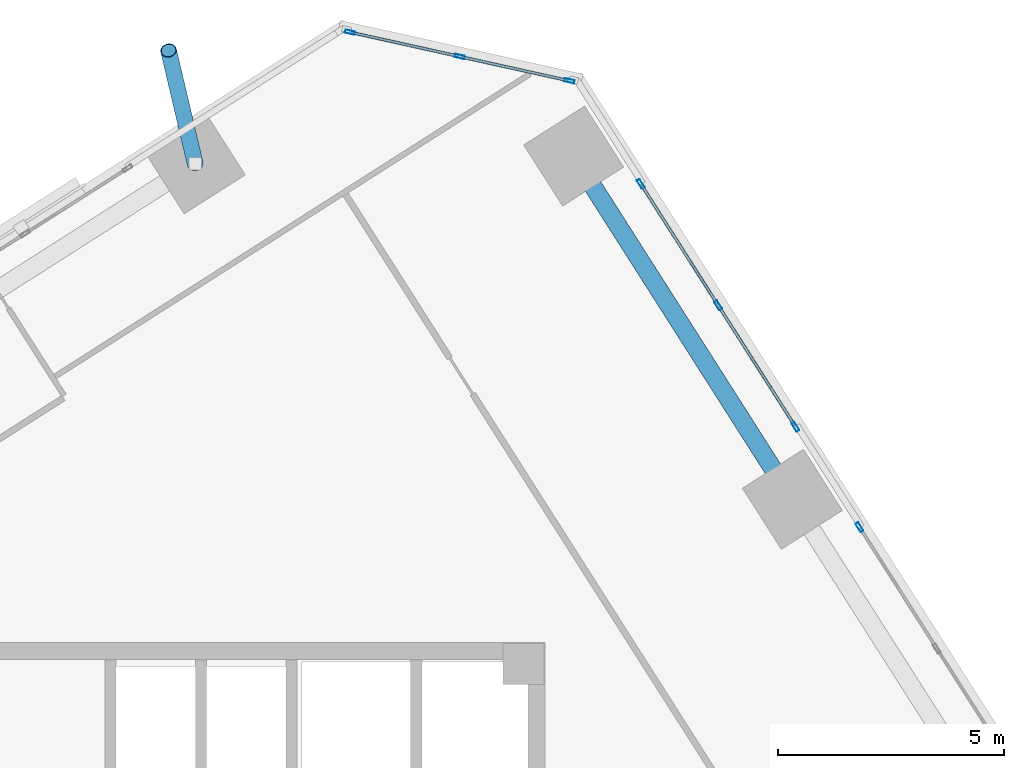
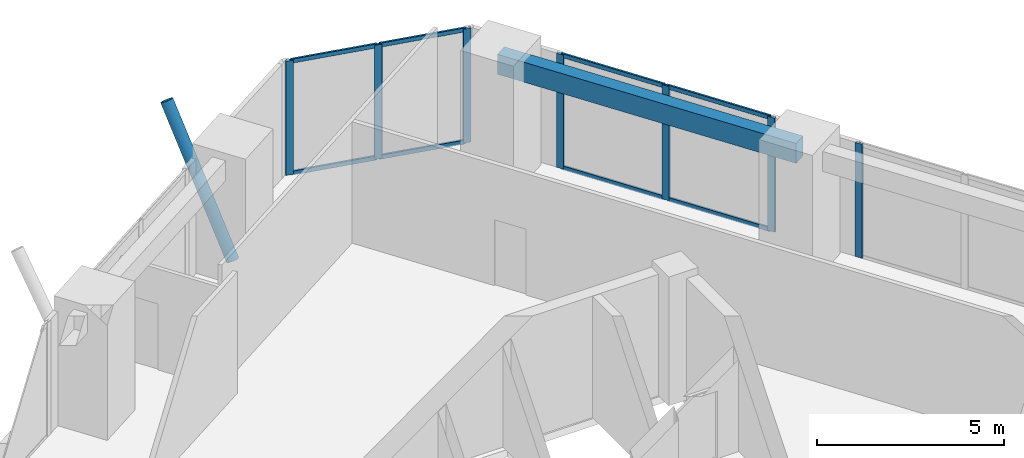
# One storey, part 8 of 14: 16 members, 1 beam, 3 elements without a shape of their own.
"""IFC4 building model written with IfcOpenShell, lengths in metres."""

from ifc_helpers import new_model, si_unit, direction, frame, origin, origin_2d, place, context, subcontext, project, spatial, rectangle, hollow_rectangle, hollow_circle, extrude, source, transform, mapped, material, material_profile, profile_set, type_object, element, aggregate, save


model = new_model("IFC4")

# Units and contexts
model_context = context("Model", 3, precision=1e-05, world=origin(), true_north=direction((0.0, 1.0)))
body_context = subcontext(model_context, "Body", "Model", "MODEL_VIEW")
ifc_project = project(units=[si_unit("LENGTHUNIT", "METRE"), si_unit("AREAUNIT", "SQUARE_METRE"), si_unit("VOLUMEUNIT", "CUBIC_METRE"), si_unit("PLANEANGLEUNIT", "RADIAN"), si_unit("MASSUNIT", "GRAM", prefix="KILO")], contexts=[model_context])

# Site, building, storey
site_placement = place(None, origin())
site = spatial("IfcSite", under=ifc_project, at=site_placement, CompositionType="ELEMENT")
building_placement = place(site_placement, origin())
building = spatial("IfcBuilding", under=site, at=building_placement, Name="Torre Montelarca", CompositionType="ELEMENT")
storey_placement = place(building_placement, frame((0.0, 0.0, 315.60009765625)))
storey = spatial("IfcBuildingStorey", under=building, at=storey_placement, Name="L71", CompositionType="ELEMENT", Elevation=315.60009765625)

# Member
ifc_material_1 = material(Name="Steel ASTM A500 Grade C", Category="steel")
ifc_material_profile_1 = material_profile(ifc_material_1, hollow_circle(Radius=0.177734375, WallThickness=0.015869140625, at=origin_2d()), Name="HSS355.6X15.9", Category="steel")
ifc_profile_set_1 = profile_set([ifc_material_profile_1], Name="Steel ASTM A500 Grade C")
member_type_1 = type_object("IfcMemberType", Name="MB-BR-CHS356-EXT", PredefinedType="BRACE", material=ifc_profile_set_1)
shared_shape_1 = source(origin(), body_context, "Body", "SweptSolid", [
    extrude(hollow_circle(Radius=0.177734375, WallThickness=0.015869140625, at=origin_2d()), origin(), (0.0, 0.0, 1.0), 4.682373046875),
])
member_1_placement = place(storey_placement, frame((19.193603515625, 50.509521484375, 0.14990234375), z_axis=(-0.126074213861, 0.535580779478, 0.835020072365), x_axis=(-0.973394793656, -0.229134405282, 0.0)))
element("IfcMember", 1, at=member_1_placement, inside=storey, type_object=member_type_1, Name="L72 Sliding Tray Exterior Diagonal Raker Strut W3", PredefinedType="BRACE", context=body_context, shape_type="MappedRepresentation", body=[
    mapped(shared_shape_1, transform((0.0, 0.0, 0.0), scale=1.0)),
])

# Beam
ifc_material_2 = material(Name="Concrete C40/50", Category="concrete")
ifc_material_profile_2 = material_profile(ifc_material_2, rectangle(XDim=0.39990234375, YDim=0.64990234375, at=origin_2d()), Name="RCB400X650", Category="concrete")
ifc_profile_set_2 = profile_set([ifc_material_profile_2], Name="Concrete C40/50")
beam_type = type_object("IfcBeamType", Name="BM-SP-RC650-EXT", PredefinedType="SPANDREL", material=ifc_profile_set_2)
shared_shape_2 = source(origin(), body_context, "Body", "SweptSolid", [
    extrude(rectangle(XDim=0.39990234375, YDim=0.64990234375, at=origin_2d()), origin(), (0.0, 0.0, 1.0), 9.0),
])
beam_placement = place(storey_placement, frame((27.56103515625, 50.6826171875, 3.635009765625), z_axis=(0.5372966855, -0.843393307865, 0.0), x_axis=(0.843393307865, 0.5372966855, 0.0)))
element("IfcBeam", 2, at=beam_placement, inside=storey, type_object=beam_type, Name="L71 Grid Girder X 9.0-18.0 at Y=47.1", PredefinedType="SPANDREL", context=body_context, shape_type="MappedRepresentation", body=[
    mapped(shared_shape_2, transform((0.0, 0.0, 0.0), scale=1.0)),
])

# Curtain wall, member
ifc_material_3 = material(Name="Insulated low-E laminated glass", Category="glass")
curtain_wall_type = type_object("IfcCurtainWallType", Name="CW-SYS-Z4", PredefinedType="USERDEFINED", material=ifc_material_3)
curtain_wall_1_placement = place(storey_placement, origin())
curtain_wall_1 = element("IfcCurtainWall", 3, at=curtain_wall_1_placement, inside=storey, type_object=curtain_wall_type, Name="L71 Curtain Wall Run CW-T3-L71-E08-B2", ObjectType="UNITISED GLAZING", PredefinedType="USERDEFINED")
ifc_material_4 = material(Name="Anodised aluminium AA 6063-T6", Category="aluminium")
ifc_material_profile_3 = material_profile(ifc_material_4, hollow_rectangle(XDim=0.074951171875, YDim=0.219970703125, WallThickness=0.0048828125, InnerFilletRadius=0.0048828125, OuterFilletRadius=0.010009765625, at=origin_2d()), Name="ALU75X220X5", Category="aluminium")
ifc_profile_set_3 = profile_set([ifc_material_profile_3], Name="Anodised aluminium AA 6063-T6")
member_type_2 = type_object("IfcMemberType", Name="CWM-ALU220", PredefinedType="MULLION", material=ifc_profile_set_3)
shared_shape_3 = source(origin(), body_context, "Body", "SweptSolid", [
    extrude(hollow_rectangle(XDim=0.074951171875, YDim=0.219970703125, WallThickness=0.0048828125, InnerFilletRadius=0.0048828125, OuterFilletRadius=0.010009765625, at=origin_2d()), origin(), (0.0, 0.0, 1.0), 3.719970703125),
])
member_2_placement = place(storey_placement, frame((33.880615234375, 42.47509765625, 0.0), z_axis=(0.0, 0.0, 1.0), x_axis=(-0.843394761508, -0.537294403713, 0.0)))
member_2 = element("IfcMember", 4, at=member_2_placement, type_object=member_type_2, Name="CW mullion 3", PredefinedType="MULLION", context=body_context, shape_type="MappedRepresentation", body=[
    mapped(shared_shape_3, transform((0.0, 0.0, 0.0), scale=1.0)),
])
aggregate(curtain_wall_1, [member_2])

# Curtain wall, members
curtain_wall_2_placement = place(storey_placement, origin())
curtain_wall_2 = element("IfcCurtainWall", 5, at=curtain_wall_2_placement, inside=storey, type_object=curtain_wall_type, Name="L71 Curtain Wall Run CW-T3-L71-E08-B3", ObjectType="UNITISED GLAZING", PredefinedType="USERDEFINED")
member_3_placement = place(storey_placement, frame((32.46484375, 44.697509765625, 0.0), z_axis=(0.0, 0.0, 1.0), x_axis=(-0.843390278763, -0.537301440244, 0.0)))
member_3 = element("IfcMember", 6, at=member_3_placement, type_object=member_type_2, Name="CW mullion 1", PredefinedType="MULLION", context=body_context, shape_type="MappedRepresentation", body=[
    mapped(shared_shape_3, transform((0.0, 0.0, 0.0), scale=1.0)),
])
member_4_placement = place(storey_placement, frame((30.7548828125, 47.381591796875, 0.0), z_axis=(0.0, 0.0, 1.0), x_axis=(-0.843390278763, -0.537301440244, 0.0)))
member_4 = element("IfcMember", 7, at=member_4_placement, type_object=member_type_2, Name="CW mullion 2", PredefinedType="MULLION", context=body_context, shape_type="MappedRepresentation", body=[
    mapped(shared_shape_3, transform((0.0, 0.0, 0.0), scale=1.0)),
])
member_5_placement = place(storey_placement, frame((29.044921875, 50.065673828125, 0.0), z_axis=(0.0, 0.0, 1.0), x_axis=(-0.843390278763, -0.537301440244, 0.0)))
member_5 = element("IfcMember", 8, at=member_5_placement, type_object=member_type_2, Name="CW mullion 3", PredefinedType="MULLION", context=body_context, shape_type="MappedRepresentation", body=[
    mapped(shared_shape_3, transform((0.0, 0.0, 0.0), scale=1.0)),
])

curtain_wall_3_placement = place(storey_placement, origin())
curtain_wall_3 = element("IfcCurtainWall", 9, at=curtain_wall_3_placement, inside=storey, type_object=curtain_wall_type, Name="L71 Curtain Wall Run CW-T3-L71-E09-B1", ObjectType="UNITISED GLAZING", PredefinedType="USERDEFINED")
member_6_placement = place(storey_placement, frame((27.4677734375, 52.344482421875, 0.0), z_axis=(0.0, 0.0, 1.0), x_axis=(-0.216443270716, -0.976295196425, 0.0)))
member_6 = element("IfcMember", 10, at=member_6_placement, type_object=member_type_2, Name="CW mullion 1", PredefinedType="MULLION", context=body_context, shape_type="MappedRepresentation", body=[
    mapped(shared_shape_3, transform((0.0, 0.0, 0.0), scale=1.0)),
])
member_7_placement = place(storey_placement, frame((25.04296875, 52.882080078125, 0.0), z_axis=(0.0, 0.0, 1.0), x_axis=(-0.216443270716, -0.976295196425, 0.0)))
member_7 = element("IfcMember", 11, at=member_7_placement, type_object=member_type_2, Name="CW mullion 2", PredefinedType="MULLION", context=body_context, shape_type="MappedRepresentation", body=[
    mapped(shared_shape_3, transform((0.0, 0.0, 0.0), scale=1.0)),
])
member_8_placement = place(storey_placement, frame((22.6181640625, 53.419677734375, 0.0), z_axis=(0.0, 0.0, 1.0), x_axis=(-0.216443270716, -0.976295196425, 0.0)))
member_8 = element("IfcMember", 12, at=member_8_placement, type_object=member_type_2, Name="CW mullion 3", PredefinedType="MULLION", context=body_context, shape_type="MappedRepresentation", body=[
    mapped(shared_shape_3, transform((0.0, 0.0, 0.0), scale=1.0)),
])
ifc_material_profile_4 = material_profile(ifc_material_4, hollow_rectangle(XDim=0.06494140625, YDim=0.139892578125, WallThickness=0.00390625, InnerFilletRadius=0.00390625, OuterFilletRadius=0.008056640625, at=origin_2d()), Name="ALU65X140X4", Category="aluminium")
ifc_profile_set_4 = profile_set([ifc_material_profile_4], Name="Anodised aluminium AA 6063-T6")
member_type_3 = type_object("IfcMemberType", Name="CWT-ALU140", PredefinedType="USERDEFINED", material=ifc_profile_set_4)
shared_shape_4 = source(origin(), body_context, "Body", "SweptSolid", [
    extrude(hollow_rectangle(XDim=0.06494140625, YDim=0.139892578125, WallThickness=0.00390625, InnerFilletRadius=0.00390625, OuterFilletRadius=0.008056640625, at=origin_2d()), origin(), (0.0, 0.0, 1.0), 2.40869140625),
])
member_9_placement = place(storey_placement, frame((25.00634765625, 52.89013671875, 0.032470703125), z_axis=(-0.976303781163, 0.216404544516, 0.0), x_axis=(-0.216404544516, -0.976303781163, 0.0)))
member_9 = element("IfcMember", 13, at=member_9_placement, type_object=member_type_3, Name="CW transom 2.1", ObjectType="TRANSOM", PredefinedType="USERDEFINED", context=body_context, shape_type="MappedRepresentation", body=[
    mapped(shared_shape_4, transform((0.0, 0.0, 0.0), scale=1.0)),
])
member_10_placement = place(storey_placement, frame((25.00634765625, 52.89013671875, 3.6875), z_axis=(-0.976303781163, 0.216404544516, 0.0), x_axis=(-0.216404544516, -0.976303781163, 0.0)))
member_10 = element("IfcMember", 14, at=member_10_placement, type_object=member_type_3, Name="CW transom 2.2", ObjectType="TRANSOM", PredefinedType="USERDEFINED", context=body_context, shape_type="MappedRepresentation", body=[
    mapped(shared_shape_4, transform((0.0, 0.0, 0.0), scale=1.0)),
])

# Member
shared_shape_5 = source(origin(), body_context, "Body", "SweptSolid", [
    extrude(hollow_rectangle(XDim=0.06494140625, YDim=0.139892578125, WallThickness=0.00390625, InnerFilletRadius=0.00390625, OuterFilletRadius=0.008056640625, at=origin_2d()), origin(), (0.0, 0.0, 1.0), 3.107421875),
])
member_11_placement = place(storey_placement, frame((32.44482421875, 44.729248046875, 0.032470703125), z_axis=(-0.537338048241, 0.843366955668, 0.0), x_axis=(-0.843366955668, -0.537338048241, 0.0)))
member_11 = element("IfcMember", 15, at=member_11_placement, type_object=member_type_3, Name="CW transom 1.1", ObjectType="TRANSOM", PredefinedType="USERDEFINED", context=body_context, shape_type="MappedRepresentation", body=[
    mapped(shared_shape_5, transform((0.0, 0.0, 0.0), scale=1.0)),
])

member_12_placement = place(storey_placement, frame((32.44482421875, 44.729248046875, 3.6875), z_axis=(-0.537338048241, 0.843366955668, 0.0), x_axis=(-0.843366955668, -0.537338048241, 0.0)))
member_12 = element("IfcMember", 16, at=member_12_placement, type_object=member_type_3, Name="CW transom 1.2", ObjectType="TRANSOM", PredefinedType="USERDEFINED", context=body_context, shape_type="MappedRepresentation", body=[
    mapped(shared_shape_5, transform((0.0, 0.0, 0.0), scale=1.0)),
])

member_13_placement = place(storey_placement, frame((30.73486328125, 47.413330078125, 0.032470703125), z_axis=(-0.537338048241, 0.843366955668, 0.0), x_axis=(-0.843366955668, -0.537338048241, 0.0)))
member_13 = element("IfcMember", 17, at=member_13_placement, type_object=member_type_3, Name="CW transom 2.1", ObjectType="TRANSOM", PredefinedType="USERDEFINED", context=body_context, shape_type="MappedRepresentation", body=[
    mapped(shared_shape_5, transform((0.0, 0.0, 0.0), scale=1.0)),
])

member_14_placement = place(storey_placement, frame((30.73486328125, 47.413330078125, 3.6875), z_axis=(-0.537338048241, 0.843366955668, 0.0), x_axis=(-0.843366955668, -0.537338048241, 0.0)))
member_14 = element("IfcMember", 18, at=member_14_placement, type_object=member_type_3, Name="CW transom 2.2", ObjectType="TRANSOM", PredefinedType="USERDEFINED", context=body_context, shape_type="MappedRepresentation", body=[
    mapped(shared_shape_5, transform((0.0, 0.0, 0.0), scale=1.0)),
])

aggregate(curtain_wall_2, [member_3, member_4, member_5, member_11, member_12, member_13, member_14])

shared_shape_6 = source(origin(), body_context, "Body", "SweptSolid", [
    extrude(hollow_rectangle(XDim=0.06494140625, YDim=0.139892578125, WallThickness=0.00390625, InnerFilletRadius=0.00390625, OuterFilletRadius=0.008056640625, at=origin_2d()), origin(), (0.0, 0.0, 1.0), 2.408935546875),
])
member_15_placement = place(storey_placement, frame((27.431396484375, 52.3525390625, 0.032470703125), z_axis=(-0.976308527262, 0.216383131496, 0.0), x_axis=(-0.216383131496, -0.976308527262, 0.0)))
member_15 = element("IfcMember", 19, at=member_15_placement, type_object=member_type_3, Name="CW transom 1.1", ObjectType="TRANSOM", PredefinedType="USERDEFINED", context=body_context, shape_type="MappedRepresentation", body=[
    mapped(shared_shape_6, transform((0.0, 0.0, 0.0), scale=1.0)),
])

member_16_placement = place(storey_placement, frame((27.431396484375, 52.3525390625, 3.6875), z_axis=(-0.976308527262, 0.216383131496, 0.0), x_axis=(-0.216383131496, -0.976308527262, 0.0)))
member_16 = element("IfcMember", 20, at=member_16_placement, type_object=member_type_3, Name="CW transom 1.2", ObjectType="TRANSOM", PredefinedType="USERDEFINED", context=body_context, shape_type="MappedRepresentation", body=[
    mapped(shared_shape_6, transform((0.0, 0.0, 0.0), scale=1.0)),
])

aggregate(curtain_wall_3, [member_6, member_7, member_8, member_15, member_16, member_9, member_10])

save(model, "model.ifc")
